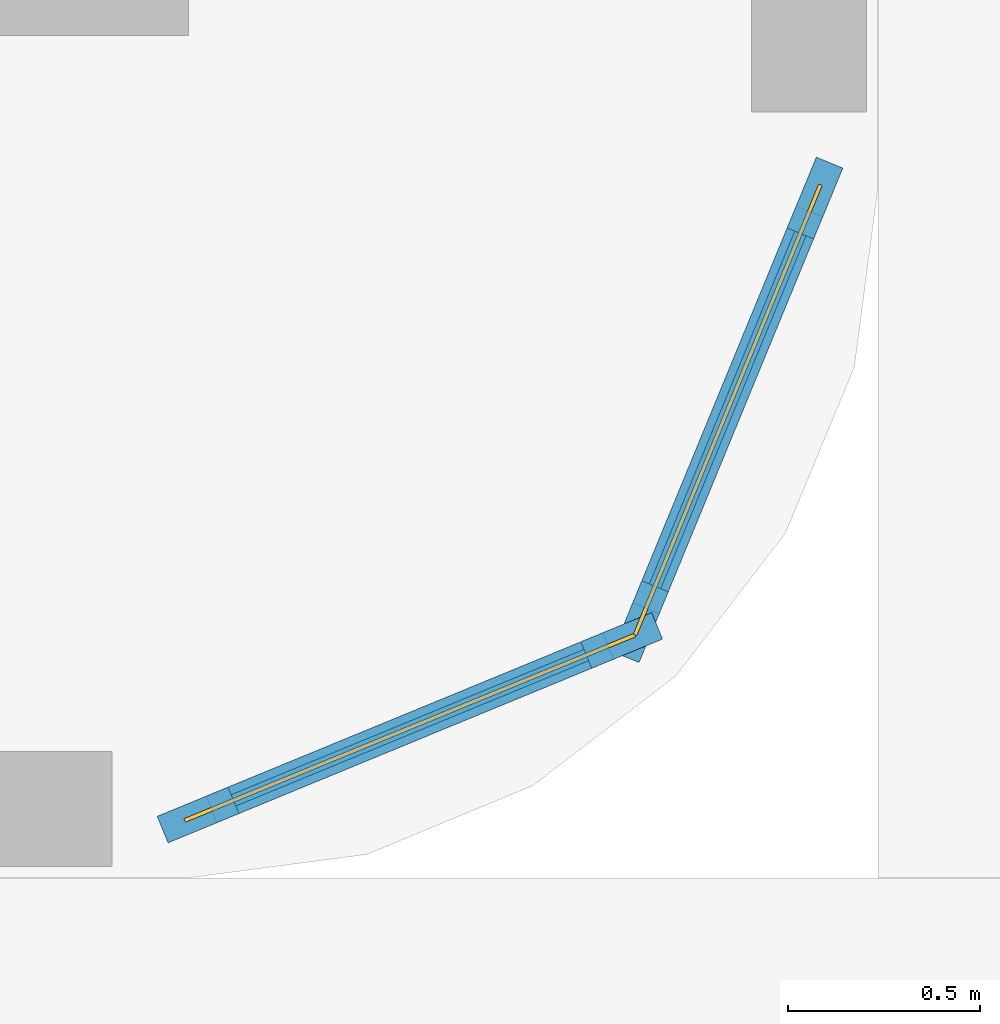
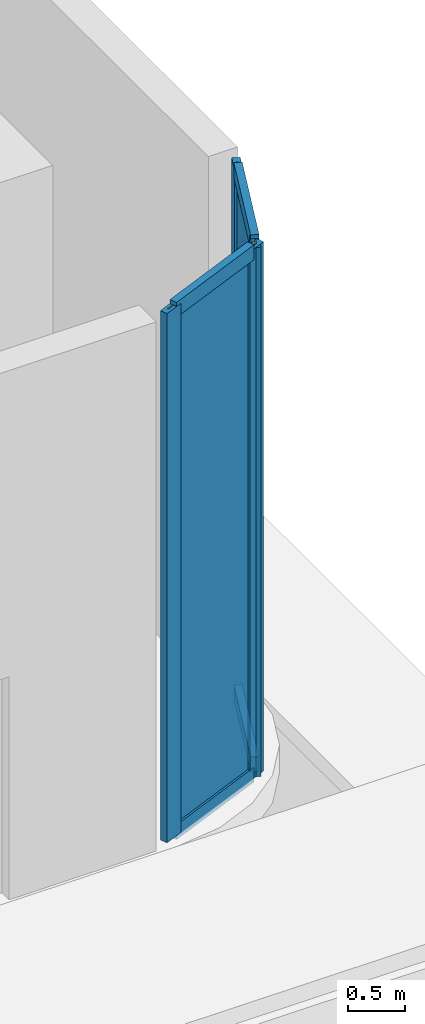
# One storey, part 16 of 22: 8 members, 2 curtain walls, 2 plates.
"""IFC4 building model written with IfcOpenShell, lengths in metres."""

from ifc_helpers import new_model, si_unit, direction, frame, frame_2d, origin, origin_2d, place, context, subcontext, project, spatial, rectangle, extrude, material, layer, layer_set, material_profile, profile_set, type_object, element, aggregate, save


model = new_model("IFC4")

# Units and contexts
model_context = context("Model", 3, precision=1e-05, world=origin(), true_north=direction((0.0, 1.0)))
body_context = subcontext(model_context, "Body", "Model", "MODEL_VIEW")
ifc_project = project(units=[si_unit("LENGTHUNIT", "METRE"), si_unit("AREAUNIT", "SQUARE_METRE"), si_unit("VOLUMEUNIT", "CUBIC_METRE"), si_unit("PLANEANGLEUNIT", "RADIAN"), si_unit("MASSUNIT", "GRAM", prefix="KILO")], contexts=[model_context])

# Member
ifc_material_1 = material(Name="Anodised Bronze Aluminium 6063-T6", Category="aluminium")
ifc_material_profile_1 = material_profile(ifc_material_1, rectangle(XDim=0.074951171875, YDim=0.199951171875, at=origin_2d()))
ifc_profile_set_1 = profile_set([ifc_material_profile_1], Name="Anodised Bronze Aluminium 6063-T6")
member_type_1 = type_object("IfcMemberType", Name="CW-POD Mullion 75x200", PredefinedType="MULLION", material=ifc_profile_set_1)
site_placement = place(None, origin())
building_placement = place(site_placement, origin())
storey_placement = place(building_placement, origin())
member_1_placement = place(storey_placement, frame((36.435791015625, -25.824951171875, 0.0), z_axis=(0.0, 0.0, 1.0), x_axis=(0.924642258491, -0.380836833581, 0.0)))
member_1 = element("IfcMember", 1, at=member_1_placement, type_object=member_type_1, Name="CW-POD mullion 1", PredefinedType="MULLION", context=body_context, shape_type="SweptSolid", body=[
    extrude(rectangle(XDim=0.074951171875, YDim=0.199951171875, at=origin_2d()), origin(), (0.0, 0.0, 1.0), 5.699951171875),
])

member_2_placement = place(storey_placement, frame((35.97998046875, -26.93115234375, 0.0), z_axis=(0.0, 0.0, 1.0), x_axis=(0.924642258491, -0.380836833581, 0.0)))
member_2 = element("IfcMember", 2, at=member_2_placement, type_object=member_type_1, Name="CW-POD mullion 2", PredefinedType="MULLION", context=body_context, shape_type="SweptSolid", body=[
    extrude(rectangle(XDim=0.074951171875, YDim=0.199951171875, at=origin_2d()), origin(), (0.0, 0.0, 1.0), 5.699951171875),
])

member_3_placement = place(storey_placement, frame((35.93115234375, -26.97998046875, 0.0), z_axis=(0.0, 0.0, 1.0), x_axis=(0.380836833581, -0.924642258491, 0.0)))
member_3 = element("IfcMember", 3, at=member_3_placement, type_object=member_type_1, Name="CW-POD mullion 1", PredefinedType="MULLION", context=body_context, shape_type="SweptSolid", body=[
    extrude(rectangle(XDim=0.074951171875, YDim=0.199951171875, at=origin_2d()), origin(), (0.0, 0.0, 1.0), 5.699951171875),
])

member_4_placement = place(storey_placement, frame((34.824951171875, -27.435791015625, 0.0), z_axis=(0.0, 0.0, 1.0), x_axis=(0.380836833581, -0.924642258491, 0.0)))
member_4 = element("IfcMember", 4, at=member_4_placement, type_object=member_type_1, Name="CW-POD mullion 2", PredefinedType="MULLION", context=body_context, shape_type="SweptSolid", body=[
    extrude(rectangle(XDim=0.074951171875, YDim=0.199951171875, at=origin_2d()), origin(), (0.0, 0.0, 1.0), 5.699951171875),
])

ifc_material_2 = material(Name="Anodised Bronze Aluminium 6063-T6", Category="aluminium")
ifc_material_profile_2 = material_profile(ifc_material_2, rectangle(XDim=0.074951171875, YDim=0.159912109375, at=origin_2d()))
ifc_profile_set_2 = profile_set([ifc_material_profile_2], Name="Anodised Bronze Aluminium 6063-T6")
member_type_2 = type_object("IfcMemberType", Name="CW-POD Transom 75x160", PredefinedType="USERDEFINED", material=ifc_profile_set_2)
member_5_placement = place(storey_placement, frame((36.42138671875, -25.859619140625, 0.03759765625), z_axis=(-0.380793606637, -0.924660061398, 0.0), x_axis=(0.924660061398, -0.380793606637, 0.0)))
member_5 = element("IfcMember", 5, at=member_5_placement, type_object=member_type_2, Name="CW-POD transom 1.1", ObjectType="TRANSOM", PredefinedType="USERDEFINED", context=body_context, shape_type="SweptSolid", body=[
    extrude(rectangle(XDim=0.074951171875, YDim=0.159912109375, at=origin_2d()), origin(), (0.0, 0.0, 1.0), 1.121337890625),
])

member_6_placement = place(storey_placement, frame((36.42138671875, -25.859619140625, 5.66259765625), z_axis=(-0.380793606637, -0.924660061398, 0.0), x_axis=(0.924660061398, -0.380793606637, 0.0)))
member_6 = element("IfcMember", 6, at=member_6_placement, type_object=member_type_2, Name="CW-POD transom 1.2", ObjectType="TRANSOM", PredefinedType="USERDEFINED", context=body_context, shape_type="SweptSolid", body=[
    extrude(rectangle(XDim=0.074951171875, YDim=0.159912109375, at=origin_2d()), origin(), (0.0, 0.0, 1.0), 1.121337890625),
])

member_7_placement = place(storey_placement, frame((35.896484375, -26.994384765625, 0.03759765625), z_axis=(-0.924660061398, -0.380793606637, 0.0), x_axis=(0.380793606637, -0.924660061398, 0.0)))
member_7 = element("IfcMember", 7, at=member_7_placement, type_object=member_type_2, Name="CW-POD transom 1.1", ObjectType="TRANSOM", PredefinedType="USERDEFINED", context=body_context, shape_type="SweptSolid", body=[
    extrude(rectangle(XDim=0.074951171875, YDim=0.159912109375, at=origin_2d()), origin(), (0.0, 0.0, 1.0), 1.121337890625),
])

member_8_placement = place(storey_placement, frame((35.896484375, -26.994384765625, 5.66259765625), z_axis=(-0.924660061398, -0.380793606637, 0.0), x_axis=(0.380793606637, -0.924660061398, 0.0)))
member_8 = element("IfcMember", 8, at=member_8_placement, type_object=member_type_2, Name="CW-POD transom 1.2", ObjectType="TRANSOM", PredefinedType="USERDEFINED", context=body_context, shape_type="SweptSolid", body=[
    extrude(rectangle(XDim=0.074951171875, YDim=0.159912109375, at=origin_2d()), origin(), (0.0, 0.0, 1.0), 1.121337890625),
])

# Plate
ifc_material_3 = material(Name="Low-E Solar Control Laminated Glass", Category="glass")
ifc_layer_1 = layer(ifc_material_3, 0.031982421875, Name="Low-E Solar Control Laminated Glass")
ifc_layer_set_1 = layer_set([ifc_layer_1], Name="Low-E Solar Control Laminated Glass")
plate_type = type_object("IfcPlateType", Name="CW-POD Low-E Double Glazed Panel 32mm", PredefinedType="CURTAIN_PANEL", material=ifc_layer_set_1)
plate_1_placement = place(storey_placement, frame((36.2080078125, -26.3779296875, 0.0751953125), z_axis=(0.0, 0.0, 1.0), x_axis=(-0.380836833581, -0.924642258491, 0.0)))
plate_1 = element("IfcPlate", 9, at=plate_1_placement, type_object=plate_type, Name="CW-POD panel 1.1", PredefinedType="CURTAIN_PANEL", context=body_context, shape_type="SweptSolid", body=[
    extrude(rectangle(XDim=1.121337890625, YDim=0.031982421875, at=origin_2d()), origin(), (0.0, 0.0, 1.0), 5.550048828125),
])

plate_2_placement = place(storey_placement, frame((35.3779296875, -27.2080078125, 0.0751953125), z_axis=(0.0, 0.0, 1.0), x_axis=(-0.924642258491, -0.380836833581, 0.0)))
plate_2 = element("IfcPlate", 10, at=plate_2_placement, type_object=plate_type, Name="CW-POD panel 1.1", PredefinedType="CURTAIN_PANEL", context=body_context, shape_type="SweptSolid", body=[
    extrude(rectangle(XDim=1.121337890625, YDim=0.031982421875, at=origin_2d()), origin(), (0.0, 0.0, 1.0), 5.550048828125),
])

# Site, building, storey
site = spatial("IfcSite", under=ifc_project, at=site_placement, CompositionType="ELEMENT")
building = spatial("IfcBuilding", under=site, at=building_placement, Name="Khairoan Windgate Tower", CompositionType="ELEMENT")
storey = spatial("IfcBuildingStorey", under=building, at=storey_placement, Name="L01", CompositionType="ELEMENT", Elevation=0.0)

# Curtain wall
ifc_material_4 = material(Name="Anodised Bronze Aluminium 6063-T6", Category="aluminium")
ifc_layer_2 = layer(ifc_material_4, 0.199951171875, Name="Anodised Bronze Aluminium 6063-T6")
ifc_layer_set_2 = layer_set([ifc_layer_2], Name="Anodised Bronze Aluminium 6063-T6")
curtain_wall_type = type_object("IfcCurtainWallType", Name="Podium Arch Galleria Curtain Wall CW-POD", PredefinedType="NOTDEFINED", material=ifc_layer_set_2)
curtain_wall_1_placement = place(storey_placement, frame((36.449951171875, -25.790283203125, 0.0), z_axis=(0.0, 0.0, 1.0), x_axis=(-0.380807756255, -0.924654234174, 0.0)))
curtain_wall_1 = element("IfcCurtainWall", 11, at=curtain_wall_1_placement, inside=storey, type_object=curtain_wall_type, Name="L01 Rounded Corner Galleria Glazing 11", PredefinedType="NOTDEFINED", context=body_context, shape_type="SweptSolid", body=[
    extrude(rectangle(XDim=1.271240234375, YDim=0.010009765625, at=frame_2d((0.6357421875, 0.0))), origin(), (0.0, 0.0, 1.0), 5.699951171875),
])

aggregate(curtain_wall_1, [member_1, member_2, member_5, member_6, plate_1])

curtain_wall_2_placement = place(storey_placement, frame((35.9658203125, -26.9658203125, 0.0), z_axis=(0.0, 0.0, 1.0), x_axis=(-0.924654234174, -0.380807756255, 0.0)))
curtain_wall_2 = element("IfcCurtainWall", 12, at=curtain_wall_2_placement, inside=storey, type_object=curtain_wall_type, Name="L01 Rounded Corner Galleria Glazing 12", PredefinedType="NOTDEFINED", context=body_context, shape_type="SweptSolid", body=[
    extrude(rectangle(XDim=1.271240234375, YDim=0.010009765625, at=frame_2d((0.6357421875, 0.0))), origin(), (0.0, 0.0, 1.0), 5.699951171875),
])

aggregate(curtain_wall_2, [member_3, member_4, member_7, member_8, plate_2])

save(model, "model.ifc")
